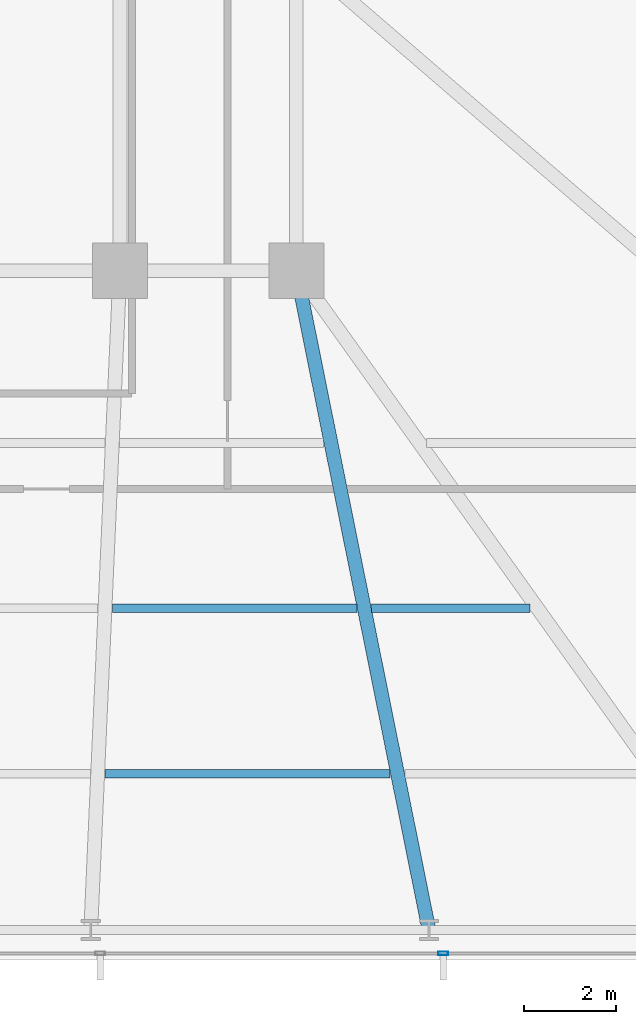
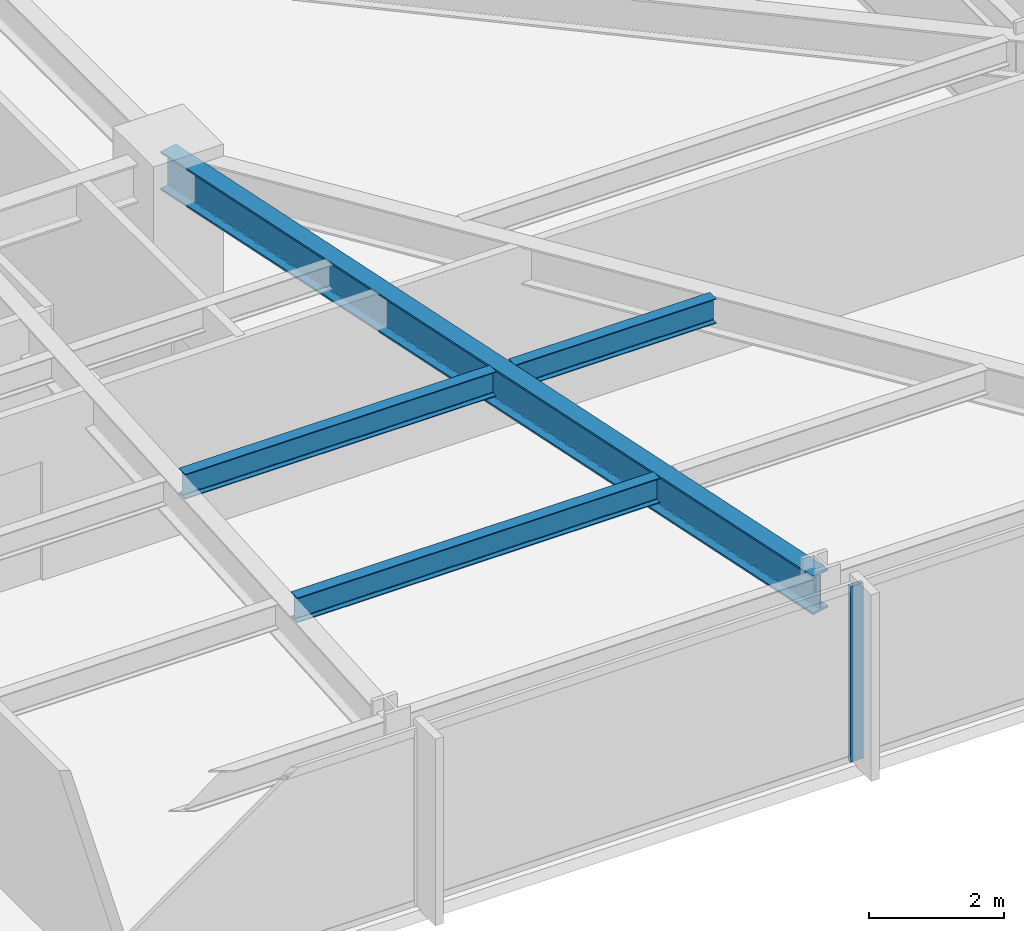
# One storey, part 14 of 33: 4 beams, 1 member, 1 element without a shape of its own.
"""IFC4 building model written with IfcOpenShell, lengths in metres."""

from ifc_helpers import new_model, si_unit, direction, frame, origin, origin_2d, place, context, subcontext, project, spatial, hollow_rectangle, i_section, extrude, material, material_profile, profile_set, type_object, element, aggregate, save


model = new_model("IFC4")

# Units and contexts
model_context = context("Model", 3, precision=1e-05, world=origin(), true_north=direction((0.0, 1.0)))
body_context = subcontext(model_context, "Body", "Model", "MODEL_VIEW")
ifc_project = project(units=[si_unit("LENGTHUNIT", "METRE"), si_unit("AREAUNIT", "SQUARE_METRE"), si_unit("VOLUMEUNIT", "CUBIC_METRE"), si_unit("PLANEANGLEUNIT", "RADIAN"), si_unit("MASSUNIT", "GRAM", prefix="KILO")], contexts=[model_context])

# Site, building, storey
site_placement = place(None, origin())
site = spatial("IfcSite", under=ifc_project, at=site_placement, CompositionType="ELEMENT")
building_placement = place(site_placement, origin())
building = spatial("IfcBuilding", under=site, at=building_placement, Name="Yelkora Congress Tower", CompositionType="ELEMENT")
storey_placement = place(building_placement, frame((0.0, 0.0, 71.199951171875)))
storey = spatial("IfcBuildingStorey", under=building, at=storey_placement, Name="L18", CompositionType="ELEMENT", Elevation=71.199951171875)

# Beams
ifc_material_1 = material(Name="Steel S355J2", Category="steel")
ifc_material_profile_1 = material_profile(ifc_material_1, i_section(OverallWidth=0.300048828125, OverallDepth=0.699951171875, WebThickness=0.01708984375, FlangeThickness=0.031982421875, FilletRadius=0.027099609375, at=origin_2d()), Name="HEB 700")
ifc_profile_set_1 = profile_set([ifc_material_profile_1], Name="Steel S355J2")
beam_type_1 = type_object("IfcBeamType", Name="BM-GIRD-HEB700", PredefinedType="BEAM", material=ifc_profile_set_1)
beam_1_placement = place(storey_placement, frame((60.487548828125, 10.85009765625, 2.830078125), z_axis=(-0.197264295931, 0.980350344291, 0.0), x_axis=(-0.980350344291, -0.197264295931, 0.0)))
element("IfcBeam", 1, at=beam_1_placement, inside=storey, type_object=beam_type_1, Name="L18 Primary Frame Girder S08", PredefinedType="BEAM", context=body_context, shape_type="SweptSolid", body=[
    extrude(i_section(OverallWidth=0.300048828125, OverallDepth=0.699951171875, WebThickness=0.01708984375, FlangeThickness=0.031982421875, FilletRadius=0.027099609375, at=origin_2d()), origin(), (0.0, 0.0, 1.0), 14.637451171875),
])
ifc_material_profile_2 = material_profile(ifc_material_1, i_section(OverallWidth=0.18994140625, OverallDepth=0.449951171875, WebThickness=0.009521484375, FlangeThickness=0.0146484375, FilletRadius=0.02099609375, at=origin_2d()), Name="IPE 450")
ifc_profile_set_2 = profile_set([ifc_material_profile_2], Name="Steel S355J2")
beam_type_2 = type_object("IfcBeamType", Name="BM-JOIST-IPE450", PredefinedType="JOIST", material=ifc_profile_set_2)
beam_2_placement = place(storey_placement, frame((53.435546875, 14.25, 2.955078125), z_axis=(1.0, 0.0, 0.0), x_axis=(0.0, 1.0, 0.0)))
element("IfcBeam", 2, at=beam_2_placement, inside=storey, type_object=beam_type_2, Name="L18 Composite Floor Joist 7", PredefinedType="JOIST", context=body_context, shape_type="SweptSolid", body=[
    extrude(i_section(OverallWidth=0.18994140625, OverallDepth=0.449951171875, WebThickness=0.009521484375, FlangeThickness=0.0146484375, FilletRadius=0.02099609375, at=origin_2d()), origin(), (0.0, 0.0, 1.0), 6.207763671875),
])
beam_3_placement = place(storey_placement, frame((53.5947265625, 17.85009765625, 2.955078125), z_axis=(1.0, 0.0, 0.0), x_axis=(0.0, 1.0, 0.0)))
element("IfcBeam", 3, at=beam_3_placement, inside=storey, type_object=beam_type_2, Name="L18 Composite Floor Joist 15", PredefinedType="JOIST", context=body_context, shape_type="SweptSolid", body=[
    extrude(i_section(OverallWidth=0.18994140625, OverallDepth=0.449951171875, WebThickness=0.009521484375, FlangeThickness=0.0146484375, FilletRadius=0.02099609375, at=origin_2d()), origin(), (0.0, 0.0, 1.0), 5.32421875),
])
beam_4_placement = place(storey_placement, frame((59.239013671875, 17.85009765625, 2.955078125), z_axis=(1.0, 0.0, 0.0), x_axis=(0.0, 1.0, 0.0)))
element("IfcBeam", 4, at=beam_4_placement, inside=storey, type_object=beam_type_2, Name="L18 Composite Floor Joist 16", PredefinedType="JOIST", context=body_context, shape_type="SweptSolid", body=[
    extrude(i_section(OverallWidth=0.18994140625, OverallDepth=0.449951171875, WebThickness=0.009521484375, FlangeThickness=0.0146484375, FilletRadius=0.02099609375, at=origin_2d()), origin(), (0.0, 0.0, 1.0), 3.450927734375),
])

# Curtain wall, member
ifc_material_2 = material(Name="Anodised aluminium and insulated glass", Category="aluminium")
curtain_wall_type = type_object("IfcCurtainWallType", Name="CW-SYS-B1", PredefinedType="NOTDEFINED", material=ifc_material_2)
curtain_wall_placement = place(storey_placement, origin())
curtain_wall = element("IfcCurtainWall", 5, at=curtain_wall_placement, inside=storey, type_object=curtain_wall_type, Name="L18 Unitised Curtain Wall 20", PredefinedType="NOTDEFINED")
ifc_material_3 = material(Name="Anodised aluminium 6063-T6", Category="aluminium")
ifc_material_profile_3 = material_profile(ifc_material_3, hollow_rectangle(XDim=0.074951171875, YDim=0.219970703125, WallThickness=0.0048828125, at=origin_2d()), Name="ALU 75x220x5")
ifc_profile_set_3 = profile_set([ifc_material_profile_3], Name="Anodised aluminium 6063-T6")
member_type = type_object("IfcMemberType", Name="MEM-ML-B1", PredefinedType="MULLION", material=ifc_profile_set_3)
member_placement = place(storey_placement, frame((60.794921875, 10.340087890625, 0.0), z_axis=(0.0, 0.0, 1.0), x_axis=(0.0, -1.0, 0.0)))
member = element("IfcMember", 6, at=member_placement, type_object=member_type, Name="CW-B1 mullion 2", PredefinedType="MULLION", context=body_context, shape_type="SweptSolid", body=[
    extrude(hollow_rectangle(XDim=0.074951171875, YDim=0.219970703125, WallThickness=0.0048828125, at=origin_2d()), origin(), (0.0, 0.0, 1.0), 3.179931640625),
])
aggregate(curtain_wall, [member])

save(model, "model.ifc")
